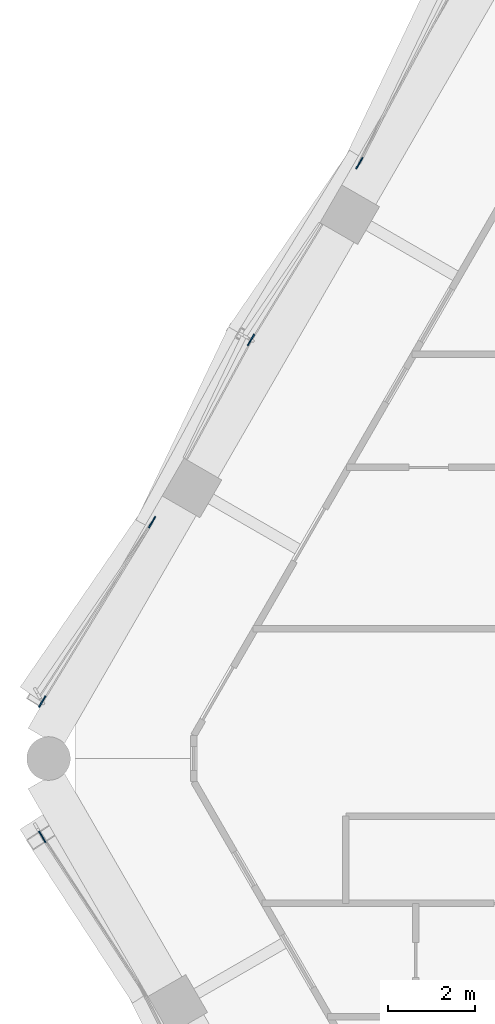
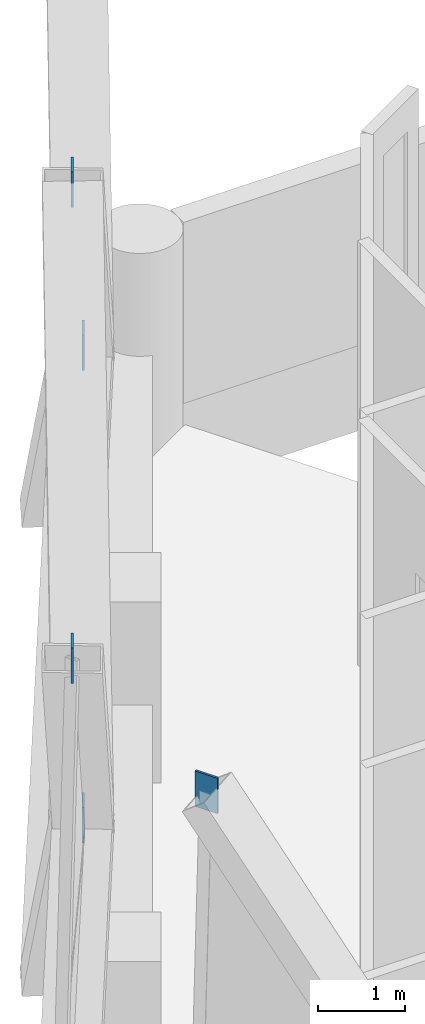
# One storey, part 15 of 18: 5 discrete accessories.
"""IFC4 building model written with IfcOpenShell, lengths in metres."""

from ifc_helpers import new_model, si_unit, direction, frame, origin, origin_2d, place, context, subcontext, project, spatial, rectangle, extrude, material, layer, layer_set, type_object, element, save


model = new_model("IFC4")

# Units and contexts
model_context = context("Model", 3, precision=1e-05, world=origin(), true_north=direction((0.0, 1.0)))
body_context = subcontext(model_context, "Body", "Model", "MODEL_VIEW")
ifc_project = project(units=[si_unit("LENGTHUNIT", "METRE"), si_unit("AREAUNIT", "SQUARE_METRE"), si_unit("VOLUMEUNIT", "CUBIC_METRE"), si_unit("PLANEANGLEUNIT", "RADIAN"), si_unit("MASSUNIT", "GRAM", prefix="KILO")], contexts=[model_context])

# Site, building, storey
site_placement = place(None, origin())
site = spatial("IfcSite", under=ifc_project, at=site_placement, CompositionType="ELEMENT")
building_placement = place(site_placement, origin())
building = spatial("IfcBuilding", under=site, at=building_placement, Name="Ostrander Bayou Hotel Tower", CompositionType="ELEMENT")
storey_placement = place(building_placement, frame((0.0, 0.0, 175.75)))
storey = spatial("IfcBuildingStorey", under=building, at=storey_placement, Name="L43", CompositionType="ELEMENT", Elevation=175.75)

# Discrete accessories
ifc_material = material(Name="Steel ASTM A572 Gr 50", Category="steel")
ifc_layer = layer(ifc_material, 0.030029296875)
ifc_layer_set = layer_set([ifc_layer], Name="GP1 gusset plate 30 mm")
discrete_accessory_type = type_object("IfcDiscreteAccessoryType", Name="GP1 gusset plate 30 mm", PredefinedType="BRACKET", material=ifc_layer_set)
for number, where, z_axis, x_axis, name in (
    (1, (-13.491943359375, 13.2783203125, 4.77490234375), (0.0, 0.0, 1.0), (-0.5, -0.866025403784, 0.0), "GP1 gusset plate lat 276"),
    (2, (-15.9765625, 9.22412109375, 10.39990234375), (0.0, 0.0, 1.0), (-0.5, -0.866025403784, 0.0), "GP1 gusset plate lat 278"),
    (3, (-18.245361328125, 5.04541015625, 4.77490234375), (0.0, 0.0, 1.0), (-0.5, -0.866025403784, 0.0), "GP1 gusset plate lat 279"),
    (4, (-20.765380859375, 0.9296875, 10.39990234375), (0.0, 0.0, 1.0), (-0.5, -0.866025403784, 0.0), "GP1 gusset plate lat 280"),
    (5, (-20.765380859375, -2.17333984375, 10.39990234375), (0.0, 0.0, 1.0), (0.5, -0.866025403784, 0.0), "GP1 gusset plate lat 282"),
):
    element("IfcDiscreteAccessory", number, at=place(storey_placement, frame(where, z_axis=z_axis, x_axis=x_axis)), inside=storey, type_object=discrete_accessory_type, Name=name, PredefinedType="BRACKET", context=body_context, shape_type="SweptSolid", body=[
        extrude(rectangle(XDim=0.300048828125, YDim=0.030029296875, at=origin_2d()), origin(), (0.0, 0.0, 1.0), 0.5),
    ])

save(model, "model.ifc")
